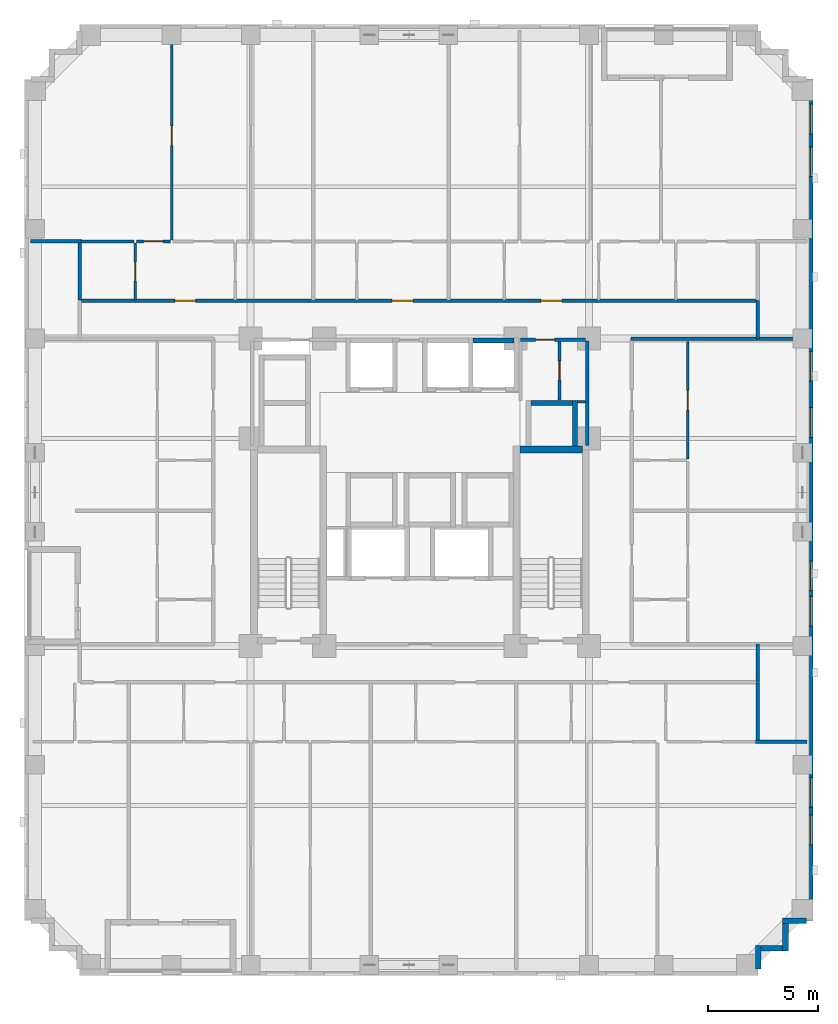
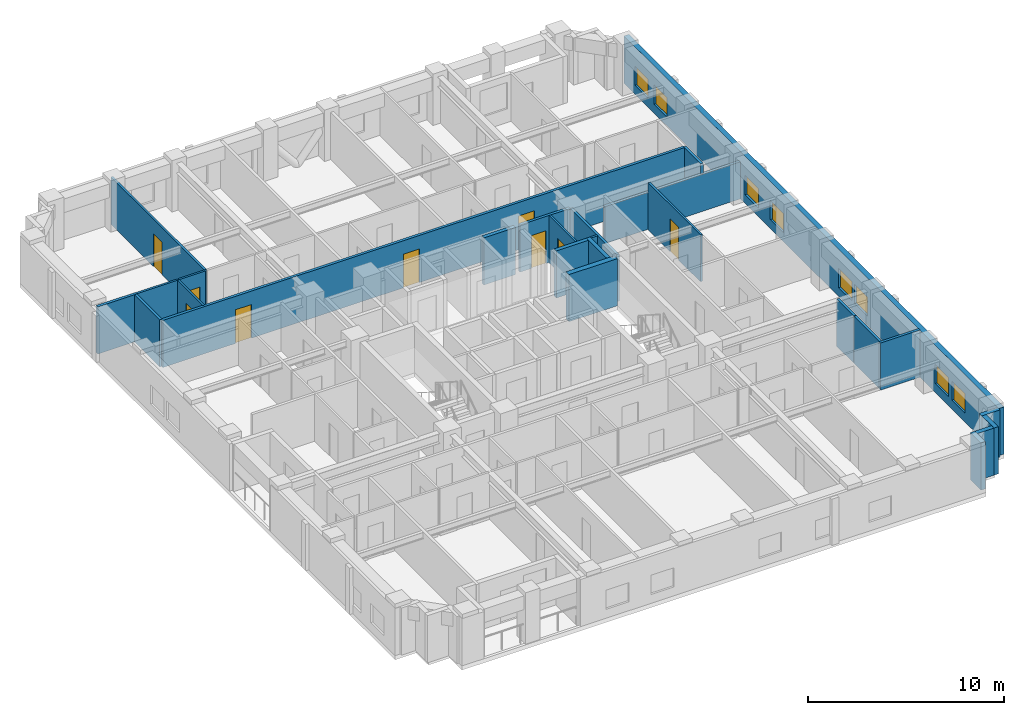
# One storey, part 6 of 12: 26 walls, 9 doors, 8 windows, 17 openings.
"""IFC4 building model written with IfcOpenShell, lengths in metres."""

from ifc_helpers import new_model, si_unit, derived_unit, direction, frame, frame_2d, origin, place, context, subcontext, project, spatial, rectangle, extrude, material, layer, layer_set, type_object, element, fill, save


model = new_model("IFC4")

# Units and contexts
model_context = context("Model", 3, precision=1e-05, world=origin(), true_north=direction((0.0, 1.0)))
body_context = subcontext(model_context, "Body", "Model", "MODEL_VIEW")
ifc_project = project(units=[si_unit("LENGTHUNIT", "METRE"), si_unit("AREAUNIT", "SQUARE_METRE"), si_unit("VOLUMEUNIT", "CUBIC_METRE"), si_unit("PLANEANGLEUNIT", "RADIAN"), si_unit("MASSUNIT", "GRAM", prefix="KILO"), derived_unit("THERMALTRANSMITTANCEUNIT", [(si_unit("MASSUNIT", "GRAM", prefix="KILO"), 1), (si_unit("TIMEUNIT", "SECOND"), -3), (si_unit("THERMODYNAMICTEMPERATUREUNIT", "KELVIN"), -1)])], contexts=[model_context])

# Site, building, storey
site_placement = place(None, origin())
site = spatial("IfcSite", under=ifc_project, at=site_placement, CompositionType="ELEMENT")
building_placement = place(site_placement, origin())
building = spatial("IfcBuilding", under=site, at=building_placement, Name="Korrvale Station Residences", CompositionType="ELEMENT")
storey_placement = place(building_placement, frame((0.0, 0.0, 91.10009765625)))
storey = spatial("IfcBuildingStorey", under=building, at=storey_placement, Name="L25", CompositionType="ELEMENT", Elevation=91.10009765625)

# Walls
ifc_material_1 = material(Name="Concrete C60/75", Category="concrete")
ifc_layer_1 = layer(ifc_material_1, 0.300048828125, Name="Concrete C60/75")
ifc_layer_set_1 = layer_set([ifc_layer_1], Name="Concrete C60/75")
wall_type_1 = type_object("IfcWallType", Name="WAL-CORE-300-C60", PredefinedType="SHEAR", material=ifc_layer_set_1)
wall_1_placement = place(storey_placement, frame((30.050048828125, 23.949951171875, 0.0), z_axis=(0.0, 0.0, 1.0), x_axis=(1.0, 0.0, 0.0)))
element("IfcWall", 1, at=wall_1_placement, inside=storey, type_object=wall_type_1, Name="L25 ST-2 Core Shear Wall North", PredefinedType="SHEAR", context=body_context, shape_type="SweptSolid", body=[
    extrude(rectangle(XDim=2.849853515625, YDim=0.300048828125, at=frame_2d((1.4248046875, 0.0))), origin(), (0.0, 0.0, 1.0), 2.93994140625),
])
ifc_material_2 = material(Name="Precast concrete C45/55", Category="concrete")
ifc_layer_2 = layer(ifc_material_2, 0.260009765625, Name="Precast concrete C45/55")
ifc_layer_set_2 = layer_set([ifc_layer_2], Name="Precast concrete C45/55")
wall_type_2 = type_object("IfcWallType", Name="WAL-EXT-LOG260", PredefinedType="SOLIDWALL", material=ifc_layer_set_2)
wall_2_placement = place(storey_placement, frame((43.097900390625, 2.5, 0.0), z_axis=(0.0, 0.0, 1.0), x_axis=(-1.0, 0.0, 0.0)))
element("IfcWall", 2, at=wall_2_placement, inside=storey, type_object=wall_type_2, Name="L25 Serrated Corner Precast Step SE-1", PredefinedType="SOLIDWALL", context=body_context, shape_type="SweptSolid", body=[
    extrude(rectangle(XDim=1.077880859375, YDim=0.260009765625, at=frame_2d((0.5390625, 0.0))), origin(), (0.0, 0.0, 1.0), 2.93994140625),
])
wall_3_placement = place(storey_placement, frame((42.14990234375, 2.367919921875, 0.0), z_axis=(0.0, 0.0, 1.0), x_axis=(0.0, -1.0, 0.0)))
element("IfcWall", 3, at=wall_3_placement, inside=storey, type_object=wall_type_2, Name="L25 Serrated Corner Precast Step SE-2", PredefinedType="SOLIDWALL", context=body_context, shape_type="SweptSolid", body=[
    extrude(rectangle(XDim=1.247802734375, YDim=0.260009765625, at=frame_2d((0.6240234375, 0.0))), origin(), (0.0, 0.0, 1.0), 2.93994140625),
])
wall_4_placement = place(storey_placement, frame((42.01806640625, 1.25, 0.0), z_axis=(0.0, 0.0, 1.0), x_axis=(-1.0, 0.0, 0.0)))
element("IfcWall", 4, at=wall_4_placement, inside=storey, type_object=wall_type_2, Name="L25 Serrated Corner Precast Step SE-3", PredefinedType="SOLIDWALL", context=body_context, shape_type="SweptSolid", body=[
    extrude(rectangle(XDim=0.986083984375, YDim=0.260009765625, at=frame_2d((0.4931640625, 0.0))), origin(), (0.0, 0.0, 1.0), 2.93994140625),
])
wall_5_placement = place(storey_placement, frame((40.89990234375, 1.3798828125, 0.0), z_axis=(0.0, 0.0, 1.0), x_axis=(0.0, -1.0, 0.0)))
element("IfcWall", 5, at=wall_5_placement, inside=storey, type_object=wall_type_2, Name="L25 Serrated Corner Precast Step SE-4", PredefinedType="SOLIDWALL", context=body_context, shape_type="SweptSolid", body=[
    extrude(rectangle(XDim=1.077880859375, YDim=0.260009765625, at=frame_2d((0.5390625, 0.0))), origin(), (0.0, 0.0, 1.0), 2.93994140625),
])

# Wall, openings, windows
ifc_layer_3 = layer(ifc_material_2, 0.300048828125, Name="Precast concrete C45/55")
ifc_layer_set_3 = layer_set([ifc_layer_3], Name="Precast concrete C45/55")
wall_type_3 = type_object("IfcWallType", Name="WAL-EXT-PC300", PredefinedType="SOLIDWALL", material=ifc_layer_set_3)
wall_6_placement = place(storey_placement, frame((43.25, 40.800048828125, 0.0), z_axis=(0.0, 0.0, 1.0), x_axis=(0.0, -1.0, 0.0)))
wall_6 = element("IfcWall", 6, at=wall_6_placement, inside=storey, type_object=wall_type_3, Name="L25 East Exterior Precast Wall 1", PredefinedType="SOLIDWALL", context=body_context, shape_type="SweptSolid", body=[
    extrude(rectangle(XDim=38.300048828125, YDim=0.300048828125, at=frame_2d((19.14990234375, 0.0))), origin(), (0.0, 0.0, 1.0), 2.93994140625),
])
opening_1_placement = place(wall_6_placement, frame((33.4951171875, 0.0, 0.550048828125)))
opening_1 = element("IfcOpeningElement", 7, at=opening_1_placement, cuts=wall_6, Name="Opening W-10", PredefinedType="OPENING", context=body_context, shape_type="SweptSolid", body=[
    extrude(rectangle(XDim=1.35009765625, YDim=1.199951171875, at=frame_2d((0.675048828125, 0.60009765625))), frame((0.0, 0.16015625, 0.0), z_axis=(0.0, -1.0, 0.0), x_axis=(1.0, 0.0, 0.0)), (0.0, 0.0, 1.0), 0.320068359375),
])
opening_2_placement = place(wall_6_placement, frame((31.784912109375, 0.0, 0.550048828125)))
opening_2 = element("IfcOpeningElement", 8, at=opening_2_placement, cuts=wall_6, Name="Opening W-10", PredefinedType="OPENING", context=body_context, shape_type="SweptSolid", body=[
    extrude(rectangle(XDim=1.35009765625, YDim=1.199951171875, at=frame_2d((0.675048828125, 0.60009765625))), frame((0.0, 0.16015625, 0.0), z_axis=(0.0, -1.0, 0.0), x_axis=(1.0, 0.0, 0.0)), (0.0, 0.0, 1.0), 0.320068359375),
])
opening_3_placement = place(wall_6_placement, frame((3.080078125, 0.0, 0.550048828125)))
opening_3 = element("IfcOpeningElement", 9, at=opening_3_placement, cuts=wall_6, Name="Opening W-10", PredefinedType="OPENING", context=body_context, shape_type="SweptSolid", body=[
    extrude(rectangle(XDim=1.35009765625, YDim=1.199951171875, at=frame_2d((0.675048828125, 0.60009765625))), frame((0.0, 0.16015625, 0.0), z_axis=(0.0, -1.0, 0.0), x_axis=(1.0, 0.0, 0.0)), (0.0, 0.0, 1.0), 0.320068359375),
])
opening_4_placement = place(wall_6_placement, frame((1.135009765625, 0.0, 0.550048828125)))
opening_4 = element("IfcOpeningElement", 10, at=opening_4_placement, cuts=wall_6, Name="Opening W-10", PredefinedType="OPENING", context=body_context, shape_type="SweptSolid", body=[
    extrude(rectangle(XDim=1.35009765625, YDim=1.199951171875, at=frame_2d((0.675048828125, 0.60009765625))), frame((0.0, 0.16015625, 0.0), z_axis=(0.0, -1.0, 0.0), x_axis=(1.0, 0.0, 0.0)), (0.0, 0.0, 1.0), 0.320068359375),
])
opening_5_placement = place(wall_6_placement, frame((21.929931640625, 0.0, 0.550048828125)))
opening_5 = element("IfcOpeningElement", 11, at=opening_5_placement, cuts=wall_6, Name="Opening W-10", PredefinedType="OPENING", context=body_context, shape_type="SweptSolid", body=[
    extrude(rectangle(XDim=1.35009765625, YDim=1.199951171875, at=frame_2d((0.675048828125, 0.60009765625))), frame((0.0, 0.16015625, 0.0), z_axis=(0.0, -1.0, 0.0), x_axis=(1.0, 0.0, 0.0)), (0.0, 0.0, 1.0), 0.320068359375),
])
opening_6_placement = place(wall_6_placement, frame((23.5400390625, 0.0, 0.550048828125)))
opening_6 = element("IfcOpeningElement", 12, at=opening_6_placement, cuts=wall_6, Name="Opening W-10", PredefinedType="OPENING", context=body_context, shape_type="SweptSolid", body=[
    extrude(rectangle(XDim=1.35009765625, YDim=1.199951171875, at=frame_2d((0.675048828125, 0.60009765625))), frame((0.0, 0.16015625, 0.0), z_axis=(0.0, -1.0, 0.0), x_axis=(1.0, 0.0, 0.0)), (0.0, 0.0, 1.0), 0.320068359375),
])
opening_7_placement = place(wall_6_placement, frame((14.949951171875, 0.0, 0.550048828125)))
opening_7 = element("IfcOpeningElement", 13, at=opening_7_placement, cuts=wall_6, Name="Opening W-10", PredefinedType="OPENING", context=body_context, shape_type="SweptSolid", body=[
    extrude(rectangle(XDim=1.35009765625, YDim=1.199951171875, at=frame_2d((0.675048828125, 0.60009765625))), frame((0.0, 0.16015625, 0.0), z_axis=(0.0, -1.0, 0.0), x_axis=(1.0, 0.0, 0.0)), (0.0, 0.0, 1.0), 0.320068359375),
])
opening_8_placement = place(wall_6_placement, frame((12.385009765625, 0.0, 0.550048828125)))
opening_8 = element("IfcOpeningElement", 14, at=opening_8_placement, cuts=wall_6, Name="Opening W-10", PredefinedType="OPENING", context=body_context, shape_type="SweptSolid", body=[
    extrude(rectangle(XDim=1.35009765625, YDim=1.199951171875, at=frame_2d((0.675048828125, 0.60009765625))), frame((0.0, 0.16015625, 0.0), z_axis=(0.0, -1.0, 0.0), x_axis=(1.0, 0.0, 0.0)), (0.0, 0.0, 1.0), 0.320068359375),
])
ifc_material_3 = material(Name="Thermally broken aluminium frame with triple low-e glazing", Category="aluminium")
window_type = type_object("IfcWindowType", Name="WIN-W10", PartitioningType="SINGLE_PANEL", PredefinedType="WINDOW", material=ifc_material_3)
window_1_placement = place(opening_1_placement, origin())
window_1 = element("IfcWindow", 15, at=window_1_placement, inside=storey, type_object=window_type, Name="L25 Punched Window 09", OverallHeight=1.199951171875, OverallWidth=1.35009765625, PartitioningType="SINGLE_PANEL", PredefinedType="WINDOW", context=body_context, shape_type="SweptSolid", body=[
    extrude(rectangle(XDim=1.35009765625, YDim=1.199951171875, at=frame_2d((0.675048828125, 0.60009765625))), frame((0.0, 0.030029296875, 0.0), z_axis=(0.0, -1.0, 0.0), x_axis=(1.0, 0.0, 0.0)), (0.0, 0.0, 1.0), 0.06005859375),
])
fill(opening_1, window_1)
window_2_placement = place(opening_2_placement, origin())
window_2 = element("IfcWindow", 16, at=window_2_placement, inside=storey, type_object=window_type, Name="L25 Punched Window 10", OverallHeight=1.199951171875, OverallWidth=1.35009765625, PartitioningType="SINGLE_PANEL", PredefinedType="WINDOW", context=body_context, shape_type="SweptSolid", body=[
    extrude(rectangle(XDim=1.35009765625, YDim=1.199951171875, at=frame_2d((0.675048828125, 0.60009765625))), frame((0.0, 0.030029296875, 0.0), z_axis=(0.0, -1.0, 0.0), x_axis=(1.0, 0.0, 0.0)), (0.0, 0.0, 1.0), 0.06005859375),
])
fill(opening_2, window_2)
window_3_placement = place(opening_3_placement, origin())
window_3 = element("IfcWindow", 17, at=window_3_placement, inside=storey, type_object=window_type, Name="L25 Punched Window 19", OverallHeight=1.199951171875, OverallWidth=1.35009765625, PartitioningType="SINGLE_PANEL", PredefinedType="WINDOW", context=body_context, shape_type="SweptSolid", body=[
    extrude(rectangle(XDim=1.35009765625, YDim=1.199951171875, at=frame_2d((0.675048828125, 0.60009765625))), frame((0.0, 0.030029296875, 0.0), z_axis=(0.0, -1.0, 0.0), x_axis=(1.0, 0.0, 0.0)), (0.0, 0.0, 1.0), 0.06005859375),
])
fill(opening_3, window_3)
window_4_placement = place(opening_4_placement, origin())
window_4 = element("IfcWindow", 18, at=window_4_placement, inside=storey, type_object=window_type, Name="L25 Punched Window 20", OverallHeight=1.199951171875, OverallWidth=1.35009765625, PartitioningType="SINGLE_PANEL", PredefinedType="WINDOW", context=body_context, shape_type="SweptSolid", body=[
    extrude(rectangle(XDim=1.35009765625, YDim=1.199951171875, at=frame_2d((0.675048828125, 0.60009765625))), frame((0.0, 0.030029296875, 0.0), z_axis=(0.0, -1.0, 0.0), x_axis=(1.0, 0.0, 0.0)), (0.0, 0.0, 1.0), 0.06005859375),
])
fill(opening_4, window_4)
window_5_placement = place(opening_5_placement, origin())
window_5 = element("IfcWindow", 19, at=window_5_placement, inside=storey, type_object=window_type, Name="L25 Punched Window 24", OverallHeight=1.199951171875, OverallWidth=1.35009765625, PartitioningType="SINGLE_PANEL", PredefinedType="WINDOW", context=body_context, shape_type="SweptSolid", body=[
    extrude(rectangle(XDim=1.35009765625, YDim=1.199951171875, at=frame_2d((0.675048828125, 0.60009765625))), frame((0.0, 0.030029296875, 0.0), z_axis=(0.0, -1.0, 0.0), x_axis=(1.0, 0.0, 0.0)), (0.0, 0.0, 1.0), 0.06005859375),
])
fill(opening_5, window_5)
window_6_placement = place(opening_6_placement, origin())
window_6 = element("IfcWindow", 20, at=window_6_placement, inside=storey, type_object=window_type, Name="L25 Punched Window 25", OverallHeight=1.199951171875, OverallWidth=1.35009765625, PartitioningType="SINGLE_PANEL", PredefinedType="WINDOW", context=body_context, shape_type="SweptSolid", body=[
    extrude(rectangle(XDim=1.35009765625, YDim=1.199951171875, at=frame_2d((0.675048828125, 0.60009765625))), frame((0.0, 0.030029296875, 0.0), z_axis=(0.0, -1.0, 0.0), x_axis=(1.0, 0.0, 0.0)), (0.0, 0.0, 1.0), 0.06005859375),
])
fill(opening_6, window_6)
window_7_placement = place(opening_7_placement, origin())
window_7 = element("IfcWindow", 21, at=window_7_placement, inside=storey, type_object=window_type, Name="L25 Punched Window 26", OverallHeight=1.199951171875, OverallWidth=1.35009765625, PartitioningType="SINGLE_PANEL", PredefinedType="WINDOW", context=body_context, shape_type="SweptSolid", body=[
    extrude(rectangle(XDim=1.35009765625, YDim=1.199951171875, at=frame_2d((0.675048828125, 0.60009765625))), frame((0.0, 0.030029296875, 0.0), z_axis=(0.0, -1.0, 0.0), x_axis=(1.0, 0.0, 0.0)), (0.0, 0.0, 1.0), 0.06005859375),
])
fill(opening_7, window_7)
window_8_placement = place(opening_8_placement, origin())
window_8 = element("IfcWindow", 22, at=window_8_placement, inside=storey, type_object=window_type, Name="L25 Punched Window 27", OverallHeight=1.199951171875, OverallWidth=1.35009765625, PartitioningType="SINGLE_PANEL", PredefinedType="WINDOW", context=body_context, shape_type="SweptSolid", body=[
    extrude(rectangle(XDim=1.35009765625, YDim=1.199951171875, at=frame_2d((0.675048828125, 0.60009765625))), frame((0.0, 0.030029296875, 0.0), z_axis=(0.0, -1.0, 0.0), x_axis=(1.0, 0.0, 0.0)), (0.0, 0.0, 1.0), 0.06005859375),
])
fill(opening_8, window_8)

# Wall
ifc_material_4 = material(Name="Acoustic steel-stud gypsum board partition", Category="steel")
ifc_layer_4 = layer(ifc_material_4, 0.1201171875, Name="Acoustic steel-stud gypsum board partition")
ifc_layer_set_4 = layer_set([ifc_layer_4], Name="Acoustic steel-stud gypsum board partition")
wall_type_4 = type_object("IfcWallType", Name="WAL-PART-125", PredefinedType="PARTITIONING", material=ifc_layer_set_4)
wall_7_placement = place(storey_placement, frame((32.679931640625, 26.1201171875, 0.0), z_axis=(0.0, 0.0, 1.0), x_axis=(1.0, 0.0, 0.0)))
element("IfcWall", 23, at=wall_7_placement, inside=storey, type_object=wall_type_4, Name="L25 Core Partition CW-CS-S", PredefinedType="PARTITIONING", context=body_context, shape_type="SweptSolid", body=[
    extrude(rectangle(XDim=0.380126953125, YDim=0.1201171875, at=frame_2d((0.18994140625, 0.0))), origin(), (0.0, 0.0, 1.0), 2.93994140625),
])

# Wall, opening, door
wall_8_placement = place(storey_placement, frame((31.860107421875, 26.199951171875, 0.0), z_axis=(0.0, 0.0, 1.0), x_axis=(0.0, 1.0, 0.0)))
wall_8 = element("IfcWall", 24, at=wall_8_placement, inside=storey, type_object=wall_type_4, Name="L25 Core Partition CW-CS-MID", PredefinedType="PARTITIONING", context=body_context, shape_type="SweptSolid", body=[
    extrude(rectangle(XDim=2.66015625, YDim=0.1201171875, at=frame_2d((1.330078125, 0.0))), origin(), (0.0, 0.0, 1.0), 2.93994140625),
])
opening_9_placement = place(wall_8_placement, frame((0.919921875, 0.0, 0.0)))
opening_9 = element("IfcOpeningElement", 25, at=opening_9_placement, cuts=wall_8, Name="Opening DB-860", PredefinedType="OPENING", context=body_context, shape_type="SweptSolid", body=[
    extrude(rectangle(XDim=0.860107421875, YDim=2.050048828125, at=frame_2d((0.43017578125, 1.02490234375))), frame((0.0, 0.070068359375, 0.0), z_axis=(0.0, -1.0, 0.0), x_axis=(1.0, 0.0, 0.0)), (0.0, 0.0, 1.0), 0.14013671875),
])
ifc_material_5 = material(Name="Moisture-resistant solid-core bathroom door", Category="timber")
door_type_1 = type_object("IfcDoorType", Name="DR-BATH-860", OperationType="NOTDEFINED", PredefinedType="DOOR", material=ifc_material_5)
door_1_placement = place(opening_9_placement, origin())
door_1 = element("IfcDoor", 26, at=door_1_placement, inside=storey, type_object=door_type_1, Name="L25 Metering Inner Door", OperationType="SINGLE_SWING_RIGHT", OverallHeight=2.050048828125, OverallWidth=0.860107421875, PredefinedType="DOOR", context=body_context, shape_type="SweptSolid", body=[
    extrude(rectangle(XDim=0.860107421875, YDim=2.050048828125, at=frame_2d((0.43017578125, 1.02490234375))), frame((0.0, 0.02490234375, 0.0), z_axis=(0.0, -1.0, 0.0), x_axis=(1.0, 0.0, 0.0)), (0.0, 0.0, 1.0), 0.050048828125),
])
fill(opening_9, door_1)

wall_9_placement = place(storey_placement, frame((12.5400390625, 30.760009765625, 0.0), z_axis=(0.0, 0.0, 1.0), x_axis=(0.0, 1.0, 0.0)))
wall_9 = element("IfcWall", 27, at=wall_9_placement, inside=storey, type_object=wall_type_4, Name="L25 Suite Partition U05-V01", PredefinedType="PARTITIONING", context=body_context, shape_type="SweptSolid", body=[
    extrude(rectangle(XDim=2.60009765625, YDim=0.1201171875, at=frame_2d((1.300048828125, 0.0))), origin(), (0.0, 0.0, 1.0), 2.93994140625),
])
opening_10_placement = place(wall_9_placement, frame((0.8701171875, 0.0, 0.0)))
opening_10 = element("IfcOpeningElement", 28, at=opening_10_placement, cuts=wall_9, Name="Opening DB-860", PredefinedType="OPENING", context=body_context, shape_type="SweptSolid", body=[
    extrude(rectangle(XDim=0.860107421875, YDim=2.050048828125, at=frame_2d((0.43017578125, 1.02490234375))), frame((0.0, 0.070068359375, 0.0), z_axis=(0.0, -1.0, 0.0), x_axis=(1.0, 0.0, 0.0)), (0.0, 0.0, 1.0), 0.14013671875),
])
door_2_placement = place(opening_10_placement, origin())
door_2 = element("IfcDoor", 29, at=door_2_placement, inside=storey, type_object=door_type_1, Name="L25 Apartment 2BR L25-U05 Bathroom Door", OperationType="SINGLE_SWING_LEFT", OverallHeight=2.050048828125, OverallWidth=0.860107421875, PredefinedType="DOOR", context=body_context, shape_type="SweptSolid", body=[
    extrude(rectangle(XDim=0.860107421875, YDim=2.050048828125, at=frame_2d((0.43017578125, 1.02490234375))), frame((0.0, 0.02490234375, 0.0), z_axis=(0.0, -1.0, 0.0), x_axis=(1.0, 0.0, 0.0)), (0.0, 0.0, 1.0), 0.050048828125),
])
fill(opening_10, door_2)

# Wall
wall_10_placement = place(storey_placement, frame((10.080078125, 33.419921875, 0.0), z_axis=(0.0, 0.0, 1.0), x_axis=(1.0, 0.0, 0.0)))
element("IfcWall", 30, at=wall_10_placement, inside=storey, type_object=wall_type_4, Name="L25 Suite Partition U05-H03", PredefinedType="PARTITIONING", context=body_context, shape_type="SweptSolid", body=[
    extrude(rectangle(XDim=2.39990234375, YDim=0.1201171875, at=frame_2d((1.199951171875, 0.0))), origin(), (0.0, 0.0, 1.0), 2.93994140625),
])

# Wall, opening, door
wall_11_placement = place(storey_placement, frame((12.60009765625, 33.419921875, 0.0), z_axis=(0.0, 0.0, 1.0), x_axis=(1.0, 0.0, 0.0)))
wall_11 = element("IfcWall", 31, at=wall_11_placement, inside=storey, type_object=wall_type_4, Name="L25 Suite Partition U05-H13", PredefinedType="PARTITIONING", context=body_context, shape_type="SweptSolid", body=[
    extrude(rectangle(XDim=1.539794921875, YDim=0.1201171875, at=frame_2d((0.77001953125, 0.0))), origin(), (0.0, 0.0, 1.0), 2.93994140625),
])
opening_11_placement = place(wall_11_placement, frame((0.320068359375, 0.0, 0.0)))
opening_11 = element("IfcOpeningElement", 32, at=opening_11_placement, cuts=wall_11, Name="Opening DI-900", PredefinedType="OPENING", context=body_context, shape_type="SweptSolid", body=[
    extrude(rectangle(XDim=0.89990234375, YDim=2.050048828125, at=frame_2d((0.449951171875, 1.02490234375))), frame((0.0, 0.070068359375, 0.0), z_axis=(0.0, -1.0, 0.0), x_axis=(1.0, 0.0, 0.0)), (0.0, 0.0, 1.0), 0.14013671875),
])
ifc_material_6 = material(Name="Painted solid-core timber interior room door", Category="wood")
door_type_2 = type_object("IfcDoorType", Name="DR-INT-900", OperationType="NOTDEFINED", PredefinedType="DOOR", material=ifc_material_6)
door_3_placement = place(opening_11_placement, origin())
door_3 = element("IfcDoor", 33, at=door_3_placement, inside=storey, type_object=door_type_2, Name="L25 Apartment 2BR L25-U05 Kitchen Door", OperationType="SINGLE_SWING_LEFT", OverallHeight=2.050048828125, OverallWidth=0.89990234375, PredefinedType="DOOR", context=body_context, shape_type="SweptSolid", body=[
    extrude(rectangle(XDim=0.89990234375, YDim=2.050048828125, at=frame_2d((0.449951171875, 1.02490234375))), frame((0.0, 0.02490234375, 0.0), z_axis=(0.0, -1.0, 0.0), x_axis=(1.0, 0.0, 0.0)), (0.0, 0.0, 1.0), 0.050048828125),
])
fill(opening_11, door_3)

wall_12_placement = place(storey_placement, frame((14.199951171875, 33.47998046875, 0.0), z_axis=(0.0, 0.0, 1.0), x_axis=(0.0, 1.0, 0.0)))
wall_12 = element("IfcWall", 34, at=wall_12_placement, inside=storey, type_object=wall_type_4, Name="L25 Suite Partition U05-V34", PredefinedType="PARTITIONING", context=body_context, shape_type="SweptSolid", body=[
    extrude(rectangle(XDim=9.5400390625, YDim=0.1201171875, at=frame_2d((4.77001953125, 0.0))), origin(), (0.0, 0.0, 1.0), 2.93994140625),
])
opening_12_placement = place(wall_12_placement, frame((4.304931640625, 0.0, 0.0)))
opening_12 = element("IfcOpeningElement", 35, at=opening_12_placement, cuts=wall_12, Name="Opening DI-900", PredefinedType="OPENING", context=body_context, shape_type="SweptSolid", body=[
    extrude(rectangle(XDim=0.89990234375, YDim=2.050048828125, at=frame_2d((0.449951171875, 1.02490234375))), frame((0.0, 0.070068359375, 0.0), z_axis=(0.0, -1.0, 0.0), x_axis=(1.0, 0.0, 0.0)), (0.0, 0.0, 1.0), 0.14013671875),
])
door_4_placement = place(opening_12_placement, origin())
door_4 = element("IfcDoor", 36, at=door_4_placement, inside=storey, type_object=door_type_2, Name="L25 Apartment 2BR L25-U05 Living and Dining Room Door", OperationType="SINGLE_SWING_RIGHT", OverallHeight=2.050048828125, OverallWidth=0.89990234375, PredefinedType="DOOR", context=body_context, shape_type="SweptSolid", body=[
    extrude(rectangle(XDim=0.89990234375, YDim=2.050048828125, at=frame_2d((0.449951171875, 1.02490234375))), frame((0.0, 0.02490234375, 0.0), z_axis=(0.0, -1.0, 0.0), x_axis=(1.0, 0.0, 0.0)), (0.0, 0.0, 1.0), 0.050048828125),
])
fill(opening_12, door_4)

wall_13_placement = place(storey_placement, frame((37.699951171875, 23.527099609375, 0.0), z_axis=(0.0, 0.0, 1.0), x_axis=(0.0, 1.0, 0.0)))
wall_13 = element("IfcWall", 37, at=wall_13_placement, inside=storey, type_object=wall_type_4, Name="L25 Suite Partition U11-V12", PredefinedType="PARTITIONING", context=body_context, shape_type="SweptSolid", body=[
    extrude(rectangle(XDim=5.3330078125, YDim=0.1201171875, at=frame_2d((2.66650390625, 0.0))), origin(), (0.0, 0.0, 1.0), 2.93994140625),
])
opening_13_placement = place(wall_13_placement, frame((2.216064453125, 0.0, 0.0)))
opening_13 = element("IfcOpeningElement", 38, at=opening_13_placement, cuts=wall_13, Name="Opening DI-900", PredefinedType="OPENING", context=body_context, shape_type="SweptSolid", body=[
    extrude(rectangle(XDim=0.89990234375, YDim=2.050048828125, at=frame_2d((0.449951171875, 1.02490234375))), frame((0.0, 0.070068359375, 0.0), z_axis=(0.0, -1.0, 0.0), x_axis=(1.0, 0.0, 0.0)), (0.0, 0.0, 1.0), 0.14013671875),
])
door_5_placement = place(opening_13_placement, origin())
door_5 = element("IfcDoor", 39, at=door_5_placement, inside=storey, type_object=door_type_2, Name="L25 Apartment 1BR L25-U11 Kitchen Door", OperationType="SINGLE_SWING_RIGHT", OverallHeight=2.050048828125, OverallWidth=0.89990234375, PredefinedType="DOOR", context=body_context, shape_type="SweptSolid", body=[
    extrude(rectangle(XDim=0.89990234375, YDim=2.050048828125, at=frame_2d((0.449951171875, 1.02490234375))), frame((0.0, 0.02490234375, 0.0), z_axis=(0.0, -1.0, 0.0), x_axis=(1.0, 0.0, 0.0)), (0.0, 0.0, 1.0), 0.050048828125),
])
fill(opening_13, door_5)

# Wall
ifc_material_7 = material(Name="Fire-rated twin-stud gypsum and mineral wool shaftwall assembly", Category="gypsum")
ifc_layer_5 = layer(ifc_material_7, 0.159912109375, Name="Fire-rated twin-stud gypsum and mineral wool shaftwall assembly")
ifc_layer_set_5 = layer_set([ifc_layer_5], Name="Fire-rated twin-stud gypsum and mineral wool shaftwall assembly")
wall_type_5 = type_object("IfcWallType", Name="WAL-PART-200", PredefinedType="PARTITIONING", material=ifc_layer_set_5)
wall_14_placement = place(storey_placement, frame((33.1201171875, 24.1201171875, 0.0), z_axis=(0.0, 0.0, 1.0), x_axis=(0.0, 1.0, 0.0)))
element("IfcWall", 40, at=wall_14_placement, inside=storey, type_object=wall_type_5, Name="L25 Core Partition CW-E-N", PredefinedType="PARTITIONING", context=body_context, shape_type="SweptSolid", body=[
    extrude(rectangle(XDim=4.759765625, YDim=0.159912109375, at=frame_2d((2.3798828125, 0.0))), origin(), (0.0, 0.0, 1.0), 2.93994140625),
])

# Wall, opening, door
wall_15_placement = place(storey_placement, frame((30.080078125, 28.949951171875, 0.0), z_axis=(0.0, 0.0, 1.0), x_axis=(1.0, 0.0, 0.0)))
wall_15 = element("IfcWall", 41, at=wall_15_placement, inside=storey, type_object=wall_type_5, Name="L25 Core Partition CW-CS-N", PredefinedType="PARTITIONING", context=body_context, shape_type="SweptSolid", body=[
    extrude(rectangle(XDim=2.9599609375, YDim=0.159912109375, at=frame_2d((1.47998046875, 0.0))), origin(), (0.0, 0.0, 1.0), 2.93994140625),
])
opening_14_placement = place(wall_15_placement, frame((0.695068359375, 0.0, 0.0)))
opening_14 = element("IfcOpeningElement", 42, at=opening_14_placement, cuts=wall_15, Name="Opening DB-860", PredefinedType="OPENING", context=body_context, shape_type="SweptSolid", body=[
    extrude(rectangle(XDim=0.860107421875, YDim=2.050048828125, at=frame_2d((0.43017578125, 1.02490234375))), frame((0.0, 0.08984375, 0.0), z_axis=(0.0, -1.0, 0.0), x_axis=(1.0, 0.0, 0.0)), (0.0, 0.0, 1.0), 0.179931640625),
])
door_6_placement = place(opening_14_placement, origin())
door_6 = element("IfcDoor", 43, at=door_6_placement, inside=storey, type_object=door_type_1, Name="L25 Housekeeping Supply Door", OperationType="SINGLE_SWING_LEFT", OverallHeight=2.050048828125, OverallWidth=0.860107421875, PredefinedType="DOOR", context=body_context, shape_type="SweptSolid", body=[
    extrude(rectangle(XDim=0.860107421875, YDim=2.050048828125, at=frame_2d((0.43017578125, 1.02490234375))), frame((0.0, 0.02490234375, 0.0), z_axis=(0.0, -1.0, 0.0), x_axis=(1.0, 0.0, 0.0)), (0.0, 0.0, 1.0), 0.050048828125),
])
fill(opening_14, door_6)

# Walls
for number, where, z_axis, x_axis, name in (
    (44, (40.8798828125, 13.35009765625, 0.0), (0.0, 0.0, 1.0), (0.0, 1.0, 0.0), "L25 Corridor South East Cap"),
    (45, (40.8798828125, 28.97998046875, 0.0), (0.0, 0.0, 1.0), (0.0, 1.0, 0.0), "L25 Corridor North East Cap"),
):
    element("IfcWall", number, at=place(storey_placement, frame(where, z_axis=z_axis, x_axis=x_axis)), inside=storey, type_object=wall_type_5, Name=name, PredefinedType="PARTITIONING", context=body_context, shape_type="SweptSolid", body=[
        extrude(rectangle(XDim=1.739990234375, YDim=0.159912109375, at=frame_2d((0.8701171875, 0.0))), origin(), (0.0, 0.0, 1.0), 2.93994140625),
    ])
wall_16_placement = place(storey_placement, frame((35.110107421875, 28.97998046875, 0.0), z_axis=(0.0, 0.0, 1.0), x_axis=(1.0, 0.0, 0.0)))
element("IfcWall", 46, at=wall_16_placement, inside=storey, type_object=wall_type_5, Name="L25 East Wing North Corridor Wall", PredefinedType="PARTITIONING", context=body_context, shape_type="SweptSolid", body=[
    extrude(rectangle(XDim=8.010009765625, YDim=0.159912109375, at=frame_2d((4.0048828125, 0.0))), origin(), (0.0, 0.0, 1.0), 2.308837890625),
])
wall_17_placement = place(storey_placement, frame((40.780029296875, 10.64990234375, 0.0), z_axis=(0.0, 0.0, 1.0), x_axis=(1.0, 0.0, 0.0)))
element("IfcWall", 47, at=wall_17_placement, inside=storey, type_object=wall_type_5, Name="L25 Corner Step Wall U04-R", PredefinedType="PARTITIONING", context=body_context, shape_type="SweptSolid", body=[
    extrude(rectangle(XDim=2.340087890625, YDim=0.159912109375, at=frame_2d((1.169921875, 0.0))), origin(), (0.0, 0.0, 1.0), 2.93994140625),
])
wall_18_placement = place(storey_placement, frame((40.8798828125, 10.64990234375, 0.0), z_axis=(0.0, 0.0, 1.0), x_axis=(0.0, 1.0, 0.0)))
element("IfcWall", 48, at=wall_18_placement, inside=storey, type_object=wall_type_5, Name="L25 Corner Step Cheek U04-R", PredefinedType="PARTITIONING", context=body_context, shape_type="SweptSolid", body=[
    extrude(rectangle(XDim=2.66015625, YDim=0.159912109375, at=frame_2d((1.330078125, 0.0))), origin(), (0.0, 0.0, 1.0), 2.93994140625),
])
wall_19_placement = place(storey_placement, frame((7.780029296875, 33.419921875, 0.0), z_axis=(0.0, 0.0, 1.0), x_axis=(1.0, 0.0, 0.0)))
element("IfcWall", 49, at=wall_19_placement, inside=storey, type_object=wall_type_5, Name="L25 Corner Step Wall U05-L", PredefinedType="PARTITIONING", context=body_context, shape_type="SweptSolid", body=[
    extrude(rectangle(XDim=2.340087890625, YDim=0.159912109375, at=frame_2d((1.169921875, 0.0))), origin(), (0.0, 0.0, 1.0), 2.93994140625),
])
wall_20_placement = place(storey_placement, frame((10.02001953125, 30.760009765625, 0.0), z_axis=(0.0, 0.0, 1.0), x_axis=(0.0, 1.0, 0.0)))
element("IfcWall", 50, at=wall_20_placement, inside=storey, type_object=wall_type_5, Name="L25 Corner Step Cheek U05-L", PredefinedType="PARTITIONING", context=body_context, shape_type="SweptSolid", body=[
    extrude(rectangle(XDim=2.659912109375, YDim=0.159912109375, at=frame_2d((1.330078125, 0.0))), origin(), (0.0, 0.0, 1.0), 2.93994140625),
])

# Wall, openings, doors
wall_21_placement = place(storey_placement, frame((10.050048828125, 30.719970703125, 0.0), z_axis=(0.0, 0.0, 1.0), x_axis=(1.0, 0.0, 0.0)))
wall_21 = element("IfcWall", 51, at=wall_21_placement, inside=storey, type_object=wall_type_5, Name="L25 Rated Corridor Wall N", PredefinedType="PARTITIONING", context=body_context, shape_type="SweptSolid", body=[
    extrude(rectangle(XDim=30.800048828125, YDim=0.159912109375, at=frame_2d((15.39990234375, 0.0))), origin(), (0.0, 0.0, 1.0), 2.93994140625),
])
opening_15_placement = place(wall_21_placement, frame((4.294921875, 0.0, 0.0)))
opening_15 = element("IfcOpeningElement", 52, at=opening_15_placement, cuts=wall_21, Name="Opening UD-950", PredefinedType="OPENING", context=body_context, shape_type="SweptSolid", body=[
    extrude(rectangle(XDim=0.949951171875, YDim=2.10009765625, at=frame_2d((0.47509765625, 1.050048828125))), frame((0.0, 0.08984375, 0.0), z_axis=(0.0, -1.0, 0.0), x_axis=(1.0, 0.0, 0.0)), (0.0, 0.0, 1.0), 0.179931640625),
])
opening_16_placement = place(wall_21_placement, frame((14.178955078125, 0.0, 0.0)))
opening_16 = element("IfcOpeningElement", 53, at=opening_16_placement, cuts=wall_21, Name="Opening UD-950", PredefinedType="OPENING", context=body_context, shape_type="SweptSolid", body=[
    extrude(rectangle(XDim=0.949951171875, YDim=2.10009765625, at=frame_2d((0.47509765625, 1.050048828125))), frame((0.0, 0.08984375, 0.0), z_axis=(0.0, -1.0, 0.0), x_axis=(1.0, 0.0, 0.0)), (0.0, 0.0, 1.0), 0.179931640625),
])
opening_17_placement = place(wall_21_placement, frame((20.965087890625, 0.0, 0.0)))
opening_17 = element("IfcOpeningElement", 54, at=opening_17_placement, cuts=wall_21, Name="Opening UD-950", PredefinedType="OPENING", context=body_context, shape_type="SweptSolid", body=[
    extrude(rectangle(XDim=0.949951171875, YDim=2.10009765625, at=frame_2d((0.47509765625, 1.050048828125))), frame((0.0, 0.08984375, 0.0), z_axis=(0.0, -1.0, 0.0), x_axis=(1.0, 0.0, 0.0)), (0.0, 0.0, 1.0), 0.179931640625),
])
ifc_material_8 = material(Name="Solid-core acoustic oak apartment entrance door", Category="timber")
door_type_3 = type_object("IfcDoorType", Name="DR-UNIT-950", OperationType="NOTDEFINED", PredefinedType="DOOR", material=ifc_material_8)
door_7_placement = place(opening_15_placement, origin())
door_7 = element("IfcDoor", 55, at=door_7_placement, inside=storey, type_object=door_type_3, Name="L25 Apartment L25-U05 Entrance Door", OperationType="SINGLE_SWING_LEFT", OverallHeight=2.10009765625, OverallWidth=0.949951171875, PredefinedType="DOOR", context=body_context, shape_type="SweptSolid", body=[
    extrude(rectangle(XDim=0.949951171875, YDim=2.10009765625, at=frame_2d((0.47509765625, 1.050048828125))), frame((0.0, 0.02490234375, 0.0), z_axis=(0.0, -1.0, 0.0), x_axis=(1.0, 0.0, 0.0)), (0.0, 0.0, 1.0), 0.050048828125),
])
fill(opening_15, door_7)
door_8_placement = place(opening_16_placement, origin())
door_8 = element("IfcDoor", 56, at=door_8_placement, inside=storey, type_object=door_type_3, Name="L25 Apartment L25-U06 Entrance Door", OperationType="SINGLE_SWING_RIGHT", OverallHeight=2.10009765625, OverallWidth=0.949951171875, PredefinedType="DOOR", context=body_context, shape_type="SweptSolid", body=[
    extrude(rectangle(XDim=0.949951171875, YDim=2.10009765625, at=frame_2d((0.47509765625, 1.050048828125))), frame((0.0, 0.02490234375, 0.0), z_axis=(0.0, -1.0, 0.0), x_axis=(1.0, 0.0, 0.0)), (0.0, 0.0, 1.0), 0.050048828125),
])
fill(opening_16, door_8)
door_9_placement = place(opening_17_placement, origin())
door_9 = element("IfcDoor", 57, at=door_9_placement, inside=storey, type_object=door_type_3, Name="L25 Apartment L25-U07 Entrance Door", OperationType="SINGLE_SWING_LEFT", OverallHeight=2.10009765625, OverallWidth=0.949951171875, PredefinedType="DOOR", context=body_context, shape_type="SweptSolid", body=[
    extrude(rectangle(XDim=0.949951171875, YDim=2.10009765625, at=frame_2d((0.47509765625, 1.050048828125))), frame((0.0, 0.02490234375, 0.0), z_axis=(0.0, -1.0, 0.0), x_axis=(1.0, 0.0, 0.0)), (0.0, 0.0, 1.0), 0.050048828125),
])
fill(opening_17, door_9)

# Walls
ifc_layer_6 = layer(ifc_material_1, 0.219970703125, Name="Concrete C60/75")
ifc_layer_set_6 = layer_set([ifc_layer_6], Name="Concrete C60/75")
wall_type_6 = type_object("IfcWallType", Name="WAL-SHAFT-220-C60", PredefinedType="SHEAR", material=ifc_layer_set_6)
wall_22_placement = place(storey_placement, frame((27.929931640625, 28.909912109375, 0.0), z_axis=(0.0, 0.0, 1.0), x_axis=(1.0, 0.0, 0.0)))
element("IfcWall", 58, at=wall_22_placement, inside=storey, type_object=wall_type_6, Name="L25 Elevator PL-3 Hoistway Wall North", PredefinedType="SHEAR", context=body_context, shape_type="SweptSolid", body=[
    extrude(rectangle(XDim=1.860107421875, YDim=0.219970703125, at=frame_2d((0.93017578125, 0.0))), origin(), (0.0, 0.0, 1.0), 2.93994140625),
])
wall_23_placement = place(storey_placement, frame((30.550048828125, 26.06005859375, 0.0), z_axis=(0.0, 0.0, 1.0), x_axis=(1.0, 0.0, 0.0)))
element("IfcWall", 59, at=wall_23_placement, inside=storey, type_object=wall_type_6, Name="L25 Elevator PH-3 Hoistway Wall North", PredefinedType="SHEAR", context=body_context, shape_type="SweptSolid", body=[
    extrude(rectangle(XDim=1.89990234375, YDim=0.219970703125, at=frame_2d((0.949951171875, 0.0))), origin(), (0.0, 0.0, 1.0), 2.93994140625),
])
wall_24_placement = place(storey_placement, frame((32.56005859375, 24.10009765625, 0.0), z_axis=(0.0, 0.0, 1.0), x_axis=(0.0, 1.0, 0.0)))
element("IfcWall", 60, at=wall_24_placement, inside=storey, type_object=wall_type_6, Name="L25 Elevator PH-3 Hoistway Wall East", PredefinedType="SHEAR", context=body_context, shape_type="SweptSolid", body=[
    extrude(rectangle(XDim=2.06982421875, YDim=0.219970703125, at=frame_2d((1.034912109375, 0.0))), origin(), (0.0, 0.0, 1.0), 2.93994140625),
])

save(model, "model.ifc")
